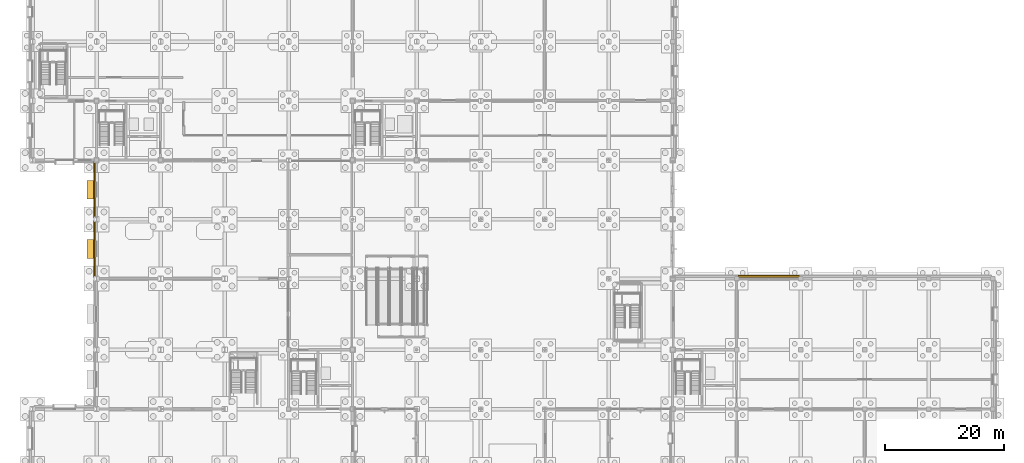
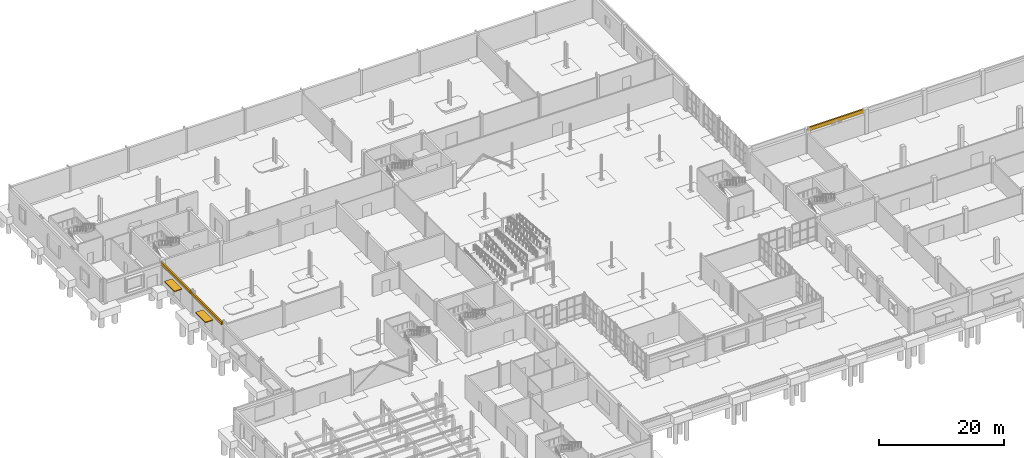
# One storey, part 67 of 73: 3 coverings, 2 shading devices.
"""IFC4 building model written with IfcOpenShell, lengths in metres."""

from ifc_helpers import new_model, si_unit, direction, frame, origin, origin_2d, place, context, subcontext, project, spatial, rectangle, extrude, material, layer, layer_set, type_object, element, save


model = new_model("IFC4")

# Units and contexts
model_context = context("Model", 3, precision=1e-05, world=origin(), true_north=direction((0.0, 1.0)))
body_context = subcontext(model_context, "Body", "Model", "MODEL_VIEW")
ifc_project = project(units=[si_unit("LENGTHUNIT", "METRE"), si_unit("AREAUNIT", "SQUARE_METRE"), si_unit("VOLUMEUNIT", "CUBIC_METRE"), si_unit("PLANEANGLEUNIT", "RADIAN"), si_unit("MASSUNIT", "GRAM", prefix="KILO")], contexts=[model_context])

# Site, building, storey
site_placement = place(None, origin())
site = spatial("IfcSite", under=ifc_project, at=site_placement, CompositionType="ELEMENT")
building_placement = place(site_placement, origin())
building = spatial("IfcBuilding", under=site, at=building_placement, Name="Tasgan Crest Museum", CompositionType="ELEMENT")
storey_placement = place(building_placement, origin())
storey = spatial("IfcBuildingStorey", under=building, at=storey_placement, Name="L00", CompositionType="ELEMENT", Elevation=0.0)

# Coverings
ifc_material_1 = material(Name="Honed Buff Limestone", Category="masonry")
ifc_layer = layer(ifc_material_1, 0.044921875, Name="COV-LIMESTONE-BUFF")
ifc_layer_set = layer_set([ifc_layer], Name="Honed Buff Limestone")
covering_type = type_object("IfcCoveringType", Name="COV-LIMESTONE-BUFF", PredefinedType="CLADDING", material=ifc_layer_set)
covering_placement = place(storey_placement, frame((124.199951171875, 62.39990234375, 3.76904296875), z_axis=(0.0, 0.0, 1.0), x_axis=(-1.0, 0.0, 0.0)))
element("IfcCovering", 1, at=covering_placement, inside=storey, type_object=covering_type, Name="Stone frieze cladding L00", PredefinedType="CLADDING", context=body_context, shape_type="SweptSolid", body=[
    extrude(rectangle(XDim=10.31005859375, YDim=0.280029296875, at=origin_2d()), origin(), (0.0, 0.0, 1.0), 0.740966796875),
])
for number, where, z_axis, x_axis, name in (
    (2, (10.469970703125, 77.0, 3.9599609375), (0.0, 0.0, 1.0), (0.0, -1.0, 0.0), "Stone frieze cladding L00"),
    (3, (10.469970703125, 67.0, 3.9599609375), (0.0, 0.0, 1.0), (0.0, -1.0, 0.0), "Stone frieze cladding L00"),
):
    element("IfcCovering", number, at=place(storey_placement, frame(where, z_axis=z_axis, x_axis=x_axis)), inside=storey, type_object=covering_type, Name=name, PredefinedType="CLADDING", context=body_context, shape_type="SweptSolid", body=[
        extrude(rectangle(XDim=9.510009765625, YDim=0.280029296875, at=origin_2d()), origin(), (0.0, 0.0, 1.0), 0.550048828125),
    ])

# Shading devices
ifc_material_2 = material(Name="Galvanised Steel Snow Canopy", Category="steel")
shading_device_type = type_object("IfcShadingDeviceType", Name="SH-AWNING-SNOW", PredefinedType="AWNING", material=ifc_material_2)
for number, where, z_axis, x_axis, name in (
    (4, (9.909912109375, 77.0, 2.81005859375), (0.0, 0.0, 1.0), (0.0, -1.0, 0.0), "Entrance snow canopy ED012"),
    (5, (9.909912109375, 67.0, 2.81005859375), (0.0, 0.0, 1.0), (0.0, -1.0, 0.0), "Entrance snow canopy ED013"),
):
    element("IfcShadingDevice", number, at=place(storey_placement, frame(where, z_axis=z_axis, x_axis=x_axis)), inside=storey, type_object=shading_device_type, Name=name, PredefinedType="AWNING", context=body_context, shape_type="SweptSolid", body=[
        extrude(rectangle(XDim=3.199951171875, YDim=1.39990234375, at=origin_2d()), origin(), (0.0, 0.0, 1.0), 0.179931640625),
    ])

save(model, "model.ifc")
